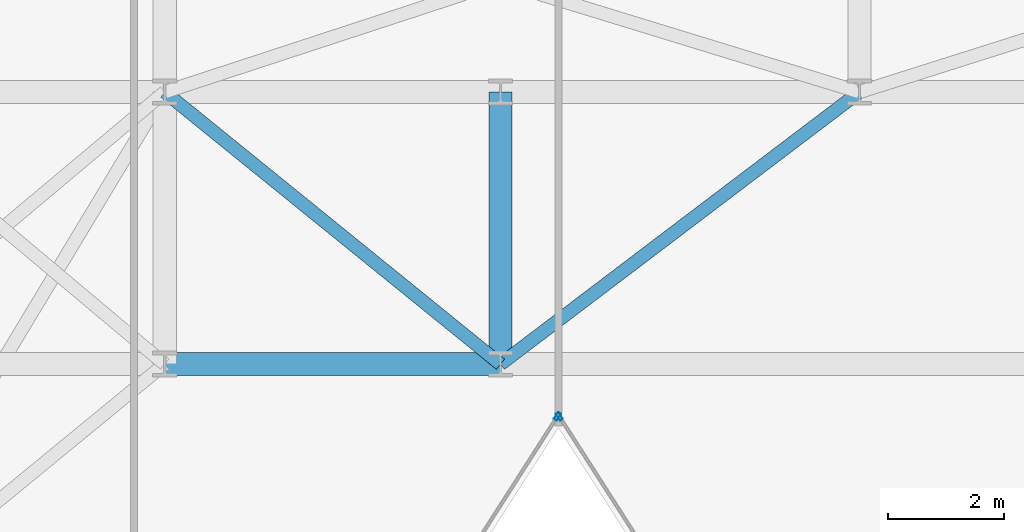
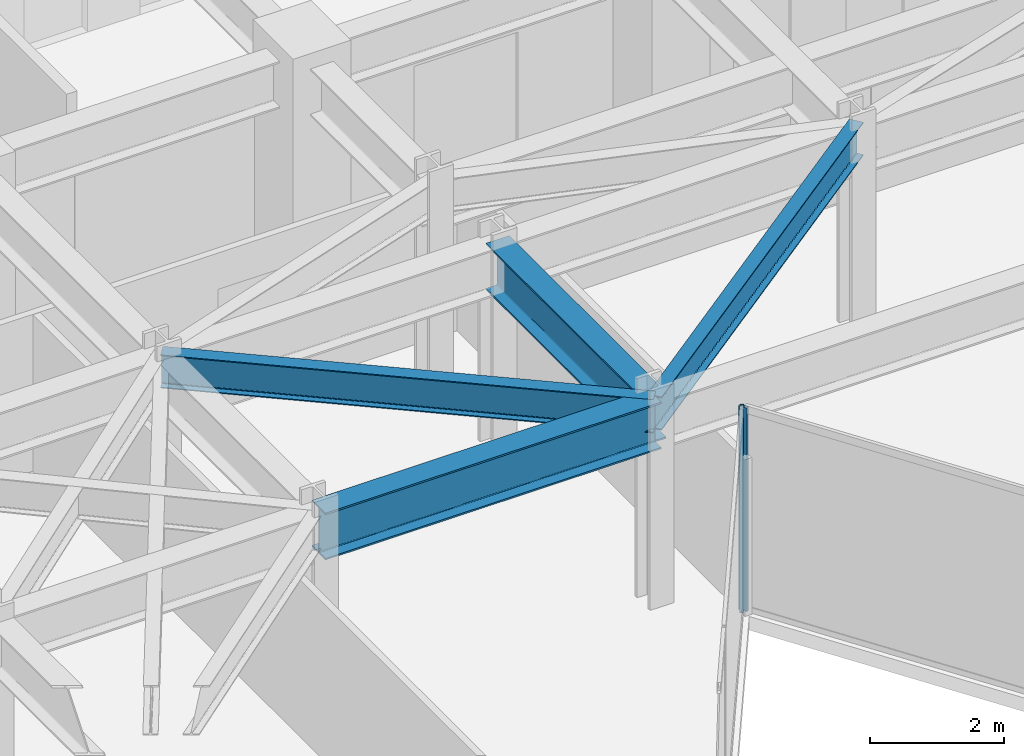
# One storey, part 13 of 26: 4 beams, 2 members, 2 elements without a shape of their own.
"""IFC4 building model written with IfcOpenShell, lengths in metres."""

from ifc_helpers import new_model, si_unit, direction, frame, origin, origin_2d, place, context, subcontext, project, spatial, hollow_rectangle, i_section, extrude, material, layer, layer_set, material_profile, profile_set, type_object, element, aggregate, save


model = new_model("IFC4")

# Units and contexts
model_context = context("Model", 3, precision=1e-05, world=origin(), true_north=direction((0.0, 1.0)))
body_context = subcontext(model_context, "Body", "Model", "MODEL_VIEW")
ifc_project = project(units=[si_unit("LENGTHUNIT", "METRE"), si_unit("AREAUNIT", "SQUARE_METRE"), si_unit("VOLUMEUNIT", "CUBIC_METRE"), si_unit("PLANEANGLEUNIT", "RADIAN"), si_unit("MASSUNIT", "GRAM", prefix="KILO")], contexts=[model_context])

# Site, building, storey
site_placement = place(None, origin())
site = spatial("IfcSite", under=ifc_project, at=site_placement, CompositionType="ELEMENT")
building_placement = place(site_placement, origin())
building = spatial("IfcBuilding", under=site, at=building_placement, Name="Kravanh Interchange Tower", CompositionType="ELEMENT")
storey_placement = place(building_placement, frame((0.0, 0.0, 152.0)))
storey = spatial("IfcBuildingStorey", under=building, at=storey_placement, Name="L36", CompositionType="ELEMENT", Elevation=152.0)

# Curtain wall, member
ifc_material_1 = material(Name="Anodised Bronze Aluminium", Category="aluminium")
ifc_layer = layer(ifc_material_1, 0.179931640625)
ifc_layer_set = layer_set([ifc_layer], Name="Unitised Curtain Wall System CW-Z2 Mid Office")
curtain_wall_type = type_object("IfcCurtainWallType", Name="Unitised Curtain Wall System CW-Z2 Mid Office", PredefinedType="NOTDEFINED", material=ifc_layer_set)
curtain_wall_1_placement = place(storey_placement, origin())
curtain_wall_1 = element("IfcCurtainWall", 1, at=curtain_wall_1_placement, inside=storey, type_object=curtain_wall_type, Name="L36 Unitised Curtain Wall CW-L36-04", PredefinedType="NOTDEFINED")
ifc_material_2 = material(Name="Anodised Bronze Aluminium", Category="aluminium")
ifc_material_profile_1 = material_profile(ifc_material_2, hollow_rectangle(XDim=0.06005859375, YDim=0.139892578125, WallThickness=0.00390625, at=origin_2d()), Name="ALU60X140X4")
ifc_profile_set_1 = profile_set([ifc_material_profile_1], Name="Anodised Bronze Aluminium")
member_type = type_object("IfcMemberType", Name="Curtain Wall Mullion ALU60X140X4 Bronze", PredefinedType="MULLION", material=ifc_profile_set_1)
member_1_placement = place(storey_placement, frame((39.6162109375, 25.897216796875, 0.0), z_axis=(0.0, 0.0, 1.0), x_axis=(-0.841879939476, -0.539664865919, 0.0)))
member_1 = element("IfcMember", 2, at=member_1_placement, type_object=member_type, Name="CW-Z2 mullion 5", PredefinedType="MULLION", context=body_context, shape_type="SweptSolid", body=[
    extrude(hollow_rectangle(XDim=0.06005859375, YDim=0.139892578125, WallThickness=0.00390625, at=origin_2d()), origin(), (0.0, 0.0, 1.0), 3.719970703125),
])
aggregate(curtain_wall_1, [member_1])

curtain_wall_2_placement = place(storey_placement, origin())
curtain_wall_2 = element("IfcCurtainWall", 3, at=curtain_wall_2_placement, inside=storey, type_object=curtain_wall_type, Name="L36 Unitised Curtain Wall CW-L36-05", PredefinedType="NOTDEFINED")
member_2_placement = place(storey_placement, frame((39.583740234375, 25.897216796875, 0.0), z_axis=(0.0, 0.0, 1.0), x_axis=(0.841879939476, -0.539664865919, 0.0)))
member_2 = element("IfcMember", 4, at=member_2_placement, type_object=member_type, Name="CW-Z2 mullion 1", PredefinedType="MULLION", context=body_context, shape_type="SweptSolid", body=[
    extrude(hollow_rectangle(XDim=0.06005859375, YDim=0.139892578125, WallThickness=0.00390625, at=origin_2d()), origin(), (0.0, 0.0, 1.0), 3.719970703125),
])
aggregate(curtain_wall_2, [member_2])

# Beams
ifc_material_3 = material(Name="Structural Steel S355", Category="steel")
ifc_material_profile_2 = material_profile(ifc_material_3, i_section(OverallWidth=0.39990234375, OverallDepth=0.85595703125, WebThickness=0.018310546875, FlangeThickness=0.029296875, FilletRadius=0.02490234375, at=origin_2d()), Name="W33X201")
ifc_profile_set_2 = profile_set([ifc_material_profile_2], Name="Structural Steel S355")
beam_type_1 = type_object("IfcBeamType", Name="Floor Beam W33X201 Structural Steel S355", PredefinedType="BEAM", material=ifc_profile_set_2)
beam_1_placement = place(storey_placement, frame((32.800048828125, 26.800048828125, 3.2919921875), z_axis=(1.0, 0.0, 0.0), x_axis=(0.0, 1.0, 0.0)))
element("IfcBeam", 5, at=beam_1_placement, inside=storey, type_object=beam_type_1, Name="L36 Primary Floor Girder 50", PredefinedType="BEAM", context=body_context, shape_type="SweptSolid", body=[
    extrude(i_section(OverallWidth=0.39990234375, OverallDepth=0.85595703125, WebThickness=0.018310546875, FlangeThickness=0.029296875, FilletRadius=0.02490234375, at=origin_2d()), origin(), (0.0, 0.0, 1.0), 5.800048828125),
])
beam_2_placement = place(storey_placement, frame((38.60009765625, 26.800048828125, 3.2919921875), z_axis=(0.0, 1.0, 0.0), x_axis=(-1.0, 0.0, 0.0)))
element("IfcBeam", 6, at=beam_2_placement, inside=storey, type_object=beam_type_1, Name="L36 Primary Floor Girder 53", PredefinedType="BEAM", context=body_context, shape_type="SweptSolid", body=[
    extrude(i_section(OverallWidth=0.39990234375, OverallDepth=0.85595703125, WebThickness=0.018310546875, FlangeThickness=0.029296875, FilletRadius=0.02490234375, at=origin_2d()), origin(), (0.0, 0.0, 1.0), 4.699951171875),
])
ifc_material_4 = material(Name="Structural Steel S355", Category="steel")
ifc_material_profile_3 = material_profile(ifc_material_4, i_section(OverallWidth=0.22802734375, OverallDepth=0.60791015625, WebThickness=0.01123046875, FlangeThickness=0.017333984375, FilletRadius=0.02197265625, at=origin_2d()), Name="W24X76")
ifc_profile_set_3 = profile_set([ifc_material_profile_3], Name="Structural Steel S355")
beam_type_2 = type_object("IfcBeamType", Name="Floor Spandrel W24X76 Structural Steel S355", PredefinedType="SPANDREL", material=ifc_profile_set_3)
beam_3_placement = place(storey_placement, frame((38.60009765625, 26.800048828125, 3.416015625), z_axis=(-0.776938619557, 0.629576350764, 0.0), x_axis=(-0.629576350764, -0.776938619557, 0.0)))
element("IfcBeam", 7, at=beam_3_placement, inside=storey, type_object=beam_type_2, Name="L36 Perimeter Spandrel 54", PredefinedType="SPANDREL", context=body_context, shape_type="SweptSolid", body=[
    extrude(i_section(OverallWidth=0.22802734375, OverallDepth=0.60791015625, WebThickness=0.01123046875, FlangeThickness=0.017333984375, FilletRadius=0.02197265625, at=origin_2d()), origin(), (0.0, 0.0, 1.0), 7.46533203125),
])
beam_4_placement = place(storey_placement, frame((38.60009765625, 26.800048828125, 3.416015625), z_axis=(0.796905365509, 0.604104161898, 0.0), x_axis=(-0.604104161898, 0.796905365509, 0.0)))
element("IfcBeam", 8, at=beam_4_placement, inside=storey, type_object=beam_type_2, Name="L36 Perimeter Spandrel 55", PredefinedType="SPANDREL", context=body_context, shape_type="SweptSolid", body=[
    extrude(i_section(OverallWidth=0.22802734375, OverallDepth=0.60791015625, WebThickness=0.01123046875, FlangeThickness=0.017333984375, FilletRadius=0.02197265625, at=origin_2d()), origin(), (0.0, 0.0, 1.0), 7.780029296875),
])

save(model, "model.ifc")
